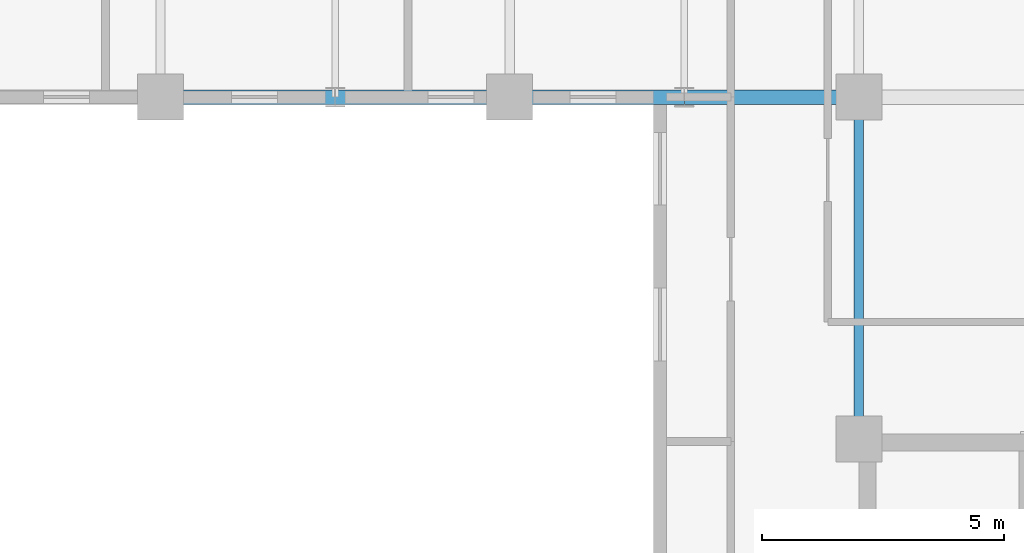
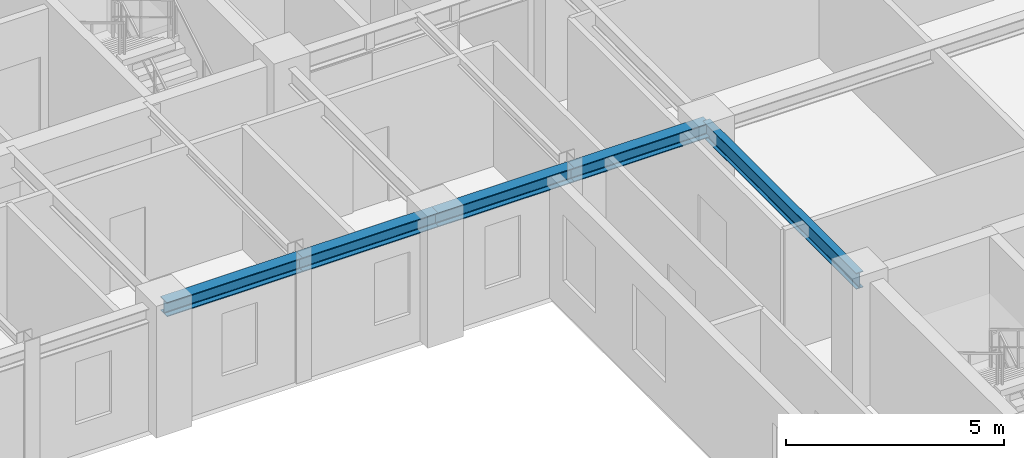
# One storey, part 5 of 20: 5 beams.
"""IFC4 building model written with IfcOpenShell, lengths in metres."""

from ifc_helpers import new_model, si_unit, direction, frame, origin, origin_2d, place, context, subcontext, project, spatial, i_section, extrude, source, transform, mapped, material, material_profile, profile_set, type_object, element, save


model = new_model("IFC4")

# Units and contexts
model_context = context("Model", 3, precision=1e-05, world=origin(), true_north=direction((0.0, 1.0)))
body_context = subcontext(model_context, "Body", "Model", "MODEL_VIEW")
ifc_project = project(units=[si_unit("LENGTHUNIT", "METRE"), si_unit("AREAUNIT", "SQUARE_METRE"), si_unit("VOLUMEUNIT", "CUBIC_METRE"), si_unit("PLANEANGLEUNIT", "RADIAN"), si_unit("MASSUNIT", "GRAM", prefix="KILO")], contexts=[model_context])

# Site, building, storey
site_placement = place(None, origin())
site = spatial("IfcSite", under=ifc_project, at=site_placement, CompositionType="ELEMENT")
building_placement = place(site_placement, origin())
building = spatial("IfcBuilding", under=site, at=building_placement, Name="Kaliganga Portal Commons", CompositionType="ELEMENT")
storey_placement = place(building_placement, frame((0.0, 0.0, 231.39990234375)))
storey = spatial("IfcBuildingStorey", under=building, at=storey_placement, Name="L59", CompositionType="ELEMENT", Elevation=231.39990234375)

# Beams
ifc_material = material(Name="Structural steel S355J2", Category="steel")
ifc_material_profile_1 = material_profile(ifc_material, i_section(OverallWidth=0.18994140625, OverallDepth=0.449951171875, WebThickness=0.009521484375, FlangeThickness=0.0146484375, FilletRadius=0.02099609375, at=origin_2d()), Name="IPE 450")
ifc_profile_set_1 = profile_set([ifc_material_profile_1], Name="Structural steel S355J2 wide-flange")
beam_type_1 = type_object("IfcBeamType", Name="BM-FLR-450", PredefinedType="BEAM", material=ifc_profile_set_1)
shared_shape_1 = source(origin(), body_context, "Body", "SweptSolid", [
    extrude(i_section(OverallWidth=0.18994140625, OverallDepth=0.449951171875, WebThickness=0.009521484375, FlangeThickness=0.0146484375, FilletRadius=0.02099609375, at=origin_2d()), origin(), (0.0, 0.0, 1.0), 7.050048828125),
])
beam_placement = place(storey_placement, frame((36.0, 14.550048828125, 3.215087890625), z_axis=(0.0, 1.0, 0.0), x_axis=(-1.0, 0.0, 0.0)))
element("IfcBeam", 1, at=beam_placement, inside=storey, type_object=beam_type_1, Name="BM G L59 BNK360", PredefinedType="BEAM", context=body_context, shape_type="MappedRepresentation", body=[
    mapped(shared_shape_1, transform((0.0, 0.0, 0.0), x_axis=(1.0, 0.0, 0.0), y_axis=(0.0, 1.0, 0.0), z_axis=(0.0, 0.0, 1.0), scale=1.0)),
])
ifc_material_profile_2 = material_profile(ifc_material, i_section(OverallWidth=0.300048828125, OverallDepth=0.39990234375, WebThickness=0.013427734375, FlangeThickness=0.02392578125, FilletRadius=0.027099609375, at=origin_2d()), Name="HE 400 B")
ifc_profile_set_2 = profile_set([ifc_material_profile_2], Name="Structural steel S355J2 wide-flange")
beam_type_2 = type_object("IfcBeamType", Name="BM-SPAND-400", PredefinedType="SPANDREL", material=ifc_profile_set_2)
shared_shape_2 = source(origin(), body_context, "Body", "SweptSolid", [
    extrude(i_section(OverallWidth=0.300048828125, OverallDepth=0.39990234375, WebThickness=0.013427734375, FlangeThickness=0.02392578125, FilletRadius=0.027099609375, at=origin_2d()), origin(), (0.0, 0.0, 1.0), 3.60009765625),
])
for number, where, z_axis, x_axis, name in (
    (2, (25.199951171875, 21.60009765625, 3.239990234375), (1.0, 0.0, 0.0), (0.0, 1.0, 0.0), "BM SP L59 AS 4"),
    (3, (32.39990234375, 21.60009765625, 3.239990234375), (1.0, 0.0, 0.0), (0.0, 1.0, 0.0), "BM SP L59 AS 6"),
):
    element("IfcBeam", number, at=place(storey_placement, frame(where, z_axis=z_axis, x_axis=x_axis)), inside=storey, type_object=beam_type_2, Name=name, PredefinedType="SPANDREL", context=body_context, shape_type="MappedRepresentation", body=[
        mapped(shared_shape_2, transform((0.0, 0.0, 0.0), x_axis=(1.0, 0.0, 0.0), y_axis=(0.0, 1.0, 0.0), z_axis=(0.0, 0.0, 1.0), scale=1.0)),
    ])
shared_shape_3 = source(origin(), body_context, "Body", "SweptSolid", [
    extrude(i_section(OverallWidth=0.300048828125, OverallDepth=0.39990234375, WebThickness=0.013427734375, FlangeThickness=0.02392578125, FilletRadius=0.027099609375, at=origin_2d()), origin(), (0.0, 0.0, 1.0), 3.599853515625),
])
for number, where, z_axis, x_axis, name in (
    (4, (21.60009765625, 21.60009765625, 3.239990234375), (1.0, 0.0, 0.0), (0.0, 1.0, 0.0), "BM SP L59 AS 3"),
    (5, (28.800048828125, 21.60009765625, 3.239990234375), (1.0, 0.0, 0.0), (0.0, 1.0, 0.0), "BM SP L59 AS 5"),
):
    element("IfcBeam", number, at=place(storey_placement, frame(where, z_axis=z_axis, x_axis=x_axis)), inside=storey, type_object=beam_type_2, Name=name, PredefinedType="SPANDREL", context=body_context, shape_type="MappedRepresentation", body=[
        mapped(shared_shape_3, transform((0.0, 0.0, 0.0), x_axis=(1.0, 0.0, 0.0), y_axis=(0.0, 1.0, 0.0), z_axis=(0.0, 0.0, 1.0), scale=1.0)),
    ])

save(model, "model.ifc")
